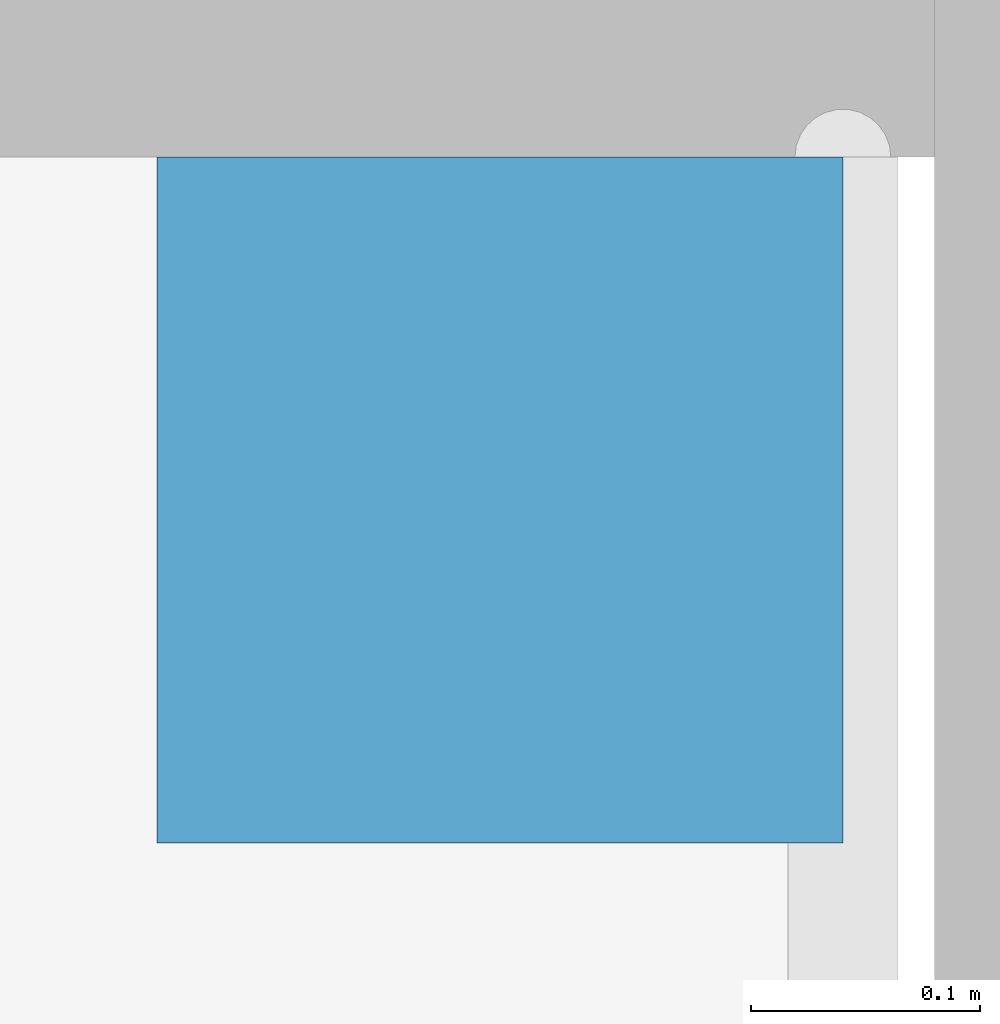
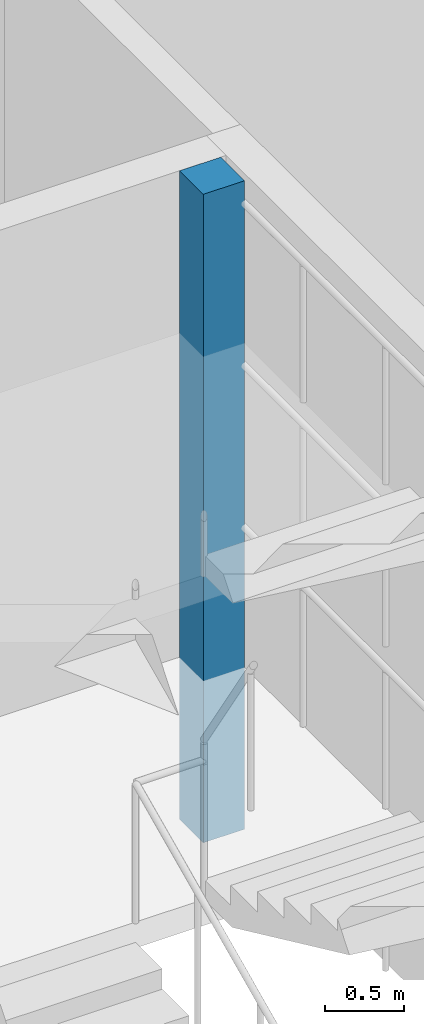
# One storey, part 3 of 23: 1 member.
"""IFC4 building model written with IfcOpenShell, lengths in metres."""

from ifc_helpers import new_model, si_unit, direction, frame, origin, origin_2d, place, context, subcontext, project, spatial, rectangle, extrude, material, material_profile, profile_set, type_object, element, save


model = new_model("IFC4")

# Units and contexts
model_context = context("Model", 3, precision=1e-05, world=origin(), true_north=direction((0.0, 1.0)))
body_context = subcontext(model_context, "Body", "Model", "MODEL_VIEW")
ifc_project = project(units=[si_unit("LENGTHUNIT", "METRE"), si_unit("AREAUNIT", "SQUARE_METRE"), si_unit("VOLUMEUNIT", "CUBIC_METRE"), si_unit("PLANEANGLEUNIT", "RADIAN"), si_unit("MASSUNIT", "GRAM", prefix="KILO")], contexts=[model_context])

# Site, building, storey
site_placement = place(None, origin())
site = spatial("IfcSite", under=ifc_project, at=site_placement, CompositionType="ELEMENT")
building_placement = place(site_placement, origin())
building = spatial("IfcBuilding", under=site, at=building_placement, Name="Cinnabar Reach Civic Tower", CompositionType="ELEMENT")
storey_placement = place(building_placement, frame((0.0, 0.0, 6.0)))
storey = spatial("IfcBuildingStorey", under=building, at=storey_placement, Name="L01", CompositionType="ELEMENT", Elevation=6.0)

# Member
ifc_material = material(Name="Concrete C40", Category="concrete")
ifc_material_profile = material_profile(ifc_material, rectangle(XDim=0.3, YDim=0.3, at=origin_2d()), Name="C300")
ifc_profile_set = profile_set([ifc_material_profile], Name="Concrete C40")
member_type = type_object("IfcMemberType", Name="T2 stair post 300", PredefinedType="STRUT", material=ifc_profile_set)
member_placement = place(storey_placement, frame((-27.55, 41.6, 0.0), z_axis=(0.0, 0.0, 1.0), x_axis=(1.0, 0.0, 0.0)))
element("IfcMember", 1, at=member_placement, inside=storey, type_object=member_type, Name="Stair post 2", PredefinedType="STRUT", context=body_context, shape_type="SweptSolid", body=[
    extrude(rectangle(XDim=0.3, YDim=0.3, at=origin_2d()), origin(), (0.0, 0.0, 1.0), 5.0),
])

save(model, "model.ifc")
